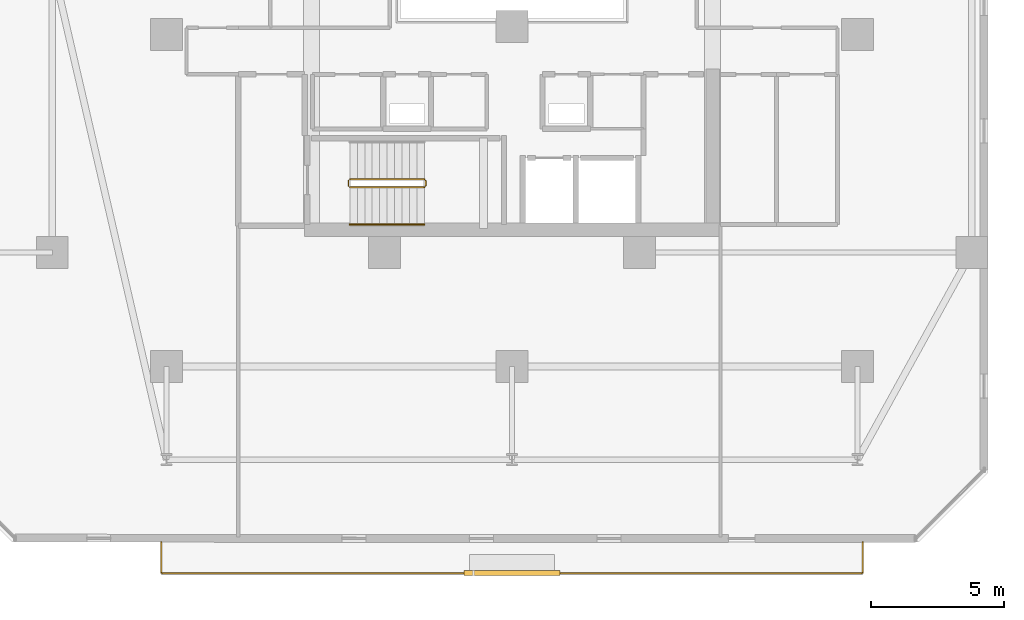
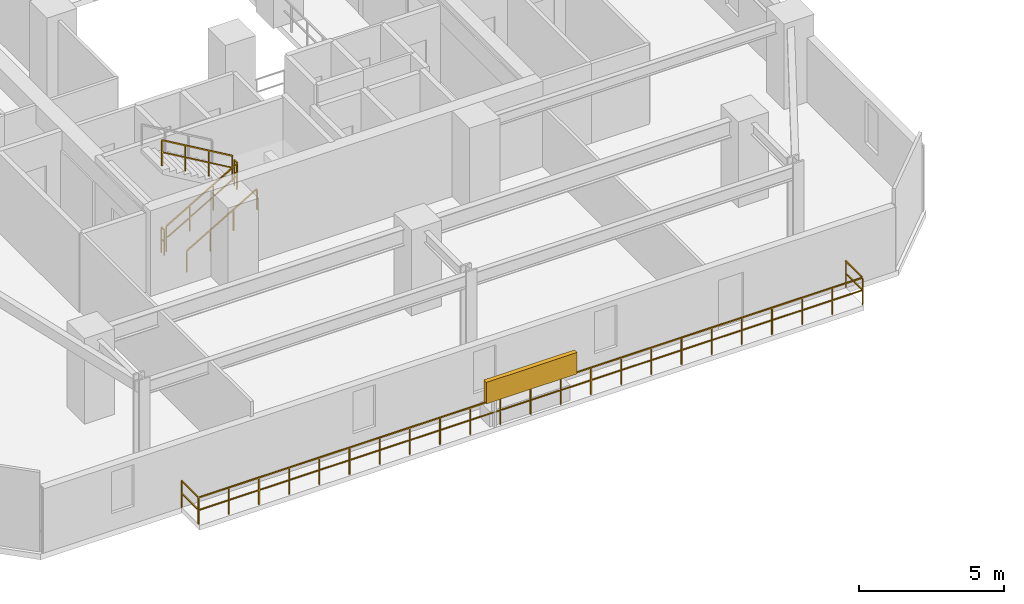
# One storey, part 29 of 33: 6 railings, 1 shading device.
"""IFC4 building model written with IfcOpenShell, lengths in metres."""

from ifc_helpers import new_model, si_unit, direction, frame, origin, origin_2d, place, context, subcontext, project, spatial, rectangle, extrude, material, type_object, element, save


model = new_model("IFC4")

# Units and contexts
model_context = context("Model", 3, precision=1e-05, world=origin(), true_north=direction((0.0, 1.0)))
body_context = subcontext(model_context, "Body", "Model", "MODEL_VIEW")
ifc_project = project(units=[si_unit("LENGTHUNIT", "METRE"), si_unit("AREAUNIT", "SQUARE_METRE"), si_unit("VOLUMEUNIT", "CUBIC_METRE"), si_unit("PLANEANGLEUNIT", "RADIAN"), si_unit("MASSUNIT", "GRAM", prefix="KILO")], contexts=[model_context])

# Site, building, storey
site_placement = place(None, origin())
site = spatial("IfcSite", under=ifc_project, at=site_placement, CompositionType="ELEMENT")
building_placement = place(site_placement, origin())
building = spatial("IfcBuilding", under=site, at=building_placement, Name="Thornwick Lancets Civic Towers", CompositionType="ELEMENT")
storey_placement = place(building_placement, frame((0.0, 0.0, 134.10009765625)))
storey = spatial("IfcBuildingStorey", under=building, at=storey_placement, Name="L35", CompositionType="ELEMENT", Elevation=134.10009765625)

# Railings
ifc_material_1 = material(Name="Brushed stainless steel S355", Category="steel")
railing_type_1 = type_object("IfcRailingType", Name="RAIL_HANDRAIL", PredefinedType="HANDRAIL", material=ifc_material_1)
railing_1_placement = place(storey_placement, frame((19.39990234375, 15.050048828125, 0.16357421875)))
element("IfcRailing", 1, at=railing_1_placement, inside=storey, type_object=railing_type_1, Name="L35 ST-A1 stair handrail 1", PredefinedType="HANDRAIL", context=body_context, shape_type="SweptSolid", body=[
    extrude(rectangle(XDim=0.048095703125, YDim=0.048095703125, at=origin_2d()), frame((0.0, 0.0, 0.8857421875), z_axis=(0.863393664356, 0.0, 0.504530851732), x_axis=(0.0, 1.0, 0.0)), (0.0, 0.0, 1.0), 3.2431640625),
    extrude(rectangle(XDim=0.0419921875, YDim=0.0419921875, at=origin_2d()), origin(), (0.0, 0.0, 1.0), 0.855712890625),
    extrude(rectangle(XDim=0.0419921875, YDim=0.0419921875, at=origin_2d()), frame((0.933349609375, 0.0, 0.54541015625)), (0.0, 0.0, 1.0), 0.855712890625),
    extrude(rectangle(XDim=0.0419921875, YDim=0.0419921875, at=origin_2d()), frame((1.86669921875, 0.0, 1.0908203125)), (0.0, 0.0, 1.0), 0.855712890625),
    extrude(rectangle(XDim=0.0419921875, YDim=0.0419921875, at=origin_2d()), frame((2.800048828125, 0.0, 1.63623046875)), (0.0, 0.0, 1.0), 0.855712890625),
])
ifc_material_2 = material(Name="Steel S355JR", Category="steel")
railing_type_2 = type_object("IfcRailingType", Name="RAIL_STAIR_GUARD", PredefinedType="GUARDRAIL", material=ifc_material_2)
railing_2_placement = place(storey_placement, frame((19.39990234375, 16.449951171875, 0.16357421875)))
element("IfcRailing", 2, at=railing_2_placement, inside=storey, type_object=railing_type_2, Name="L35 ST-A1 stair guard 1", PredefinedType="GUARDRAIL", context=body_context, shape_type="SweptSolid", body=[
    extrude(rectangle(XDim=0.048095703125, YDim=0.048095703125, at=origin_2d()), frame((0.0, 0.0, 1.076171875), z_axis=(0.863393664356, 0.0, 0.504530851732), x_axis=(0.0, 1.0, 0.0)), (0.0, 0.0, 1.0), 3.2431640625),
    extrude(rectangle(XDim=0.0419921875, YDim=0.0419921875, at=origin_2d()), frame((0.032470703125, 0.0, 0.591064453125), z_axis=(0.863393664356, 0.0, 0.504530851732), x_axis=(0.0, 1.0, 0.0)), (0.0, 0.0, 1.0), 1.006103515625),
    extrude(rectangle(XDim=0.0419921875, YDim=0.0419921875, at=origin_2d()), frame((0.9658203125, 0.0, 1.136474609375), z_axis=(0.863393664356, 0.0, 0.504530851732), x_axis=(0.0, 1.0, 0.0)), (0.0, 0.0, 1.0), 1.006103515625),
    extrude(rectangle(XDim=0.0419921875, YDim=0.0419921875, at=origin_2d()), frame((1.899169921875, 0.0, 1.681884765625), z_axis=(0.863393664356, 0.0, 0.504530851732), x_axis=(0.0, 1.0, 0.0)), (0.0, 0.0, 1.0), 1.006103515625),
    extrude(rectangle(XDim=0.0419921875, YDim=0.0419921875, at=origin_2d()), origin(), (0.0, 0.0, 1.0), 1.0458984375),
    extrude(rectangle(XDim=0.0419921875, YDim=0.0419921875, at=origin_2d()), frame((0.933349609375, 0.0, 0.54541015625)), (0.0, 0.0, 1.0), 1.0458984375),
    extrude(rectangle(XDim=0.0419921875, YDim=0.0419921875, at=origin_2d()), frame((1.86669921875, 0.0, 1.0908203125)), (0.0, 0.0, 1.0), 1.0458984375),
    extrude(rectangle(XDim=0.0419921875, YDim=0.0419921875, at=origin_2d()), frame((2.800048828125, 0.0, 1.63623046875)), (0.0, 0.0, 1.0), 1.0458984375),
])
railing_3_placement = place(storey_placement, frame((22.25, 16.5, 1.7998046875)))
element("IfcRailing", 3, at=railing_3_placement, inside=storey, type_object=railing_type_2, Name="L35 ST-A1 stair guard 2", PredefinedType="GUARDRAIL", context=body_context, shape_type="SweptSolid", body=[
    extrude(rectangle(XDim=0.048095703125, YDim=0.048095703125, at=origin_2d()), frame((0.0, 0.0, 1.076171875), z_axis=(0.0, 1.0, 0.0), x_axis=(-1.0, 0.0, 0.0)), (0.0, 0.0, 1.0), 0.199951171875),
    extrude(rectangle(XDim=0.0419921875, YDim=0.0419921875, at=origin_2d()), frame((0.0, 0.03759765625, 0.572021484375), z_axis=(0.0, 1.0, 0.0), x_axis=(-1.0, 0.0, 0.0)), (0.0, 0.0, 1.0), 0.125),
    extrude(rectangle(XDim=0.0419921875, YDim=0.0419921875, at=origin_2d()), origin(), (0.0, 0.0, 1.0), 1.0458984375),
    extrude(rectangle(XDim=0.0419921875, YDim=0.0419921875, at=origin_2d()), frame((0.0, 0.199951171875, 0.0)), (0.0, 0.0, 1.0), 1.0458984375),
])
railing_4_placement = place(storey_placement, frame((22.199951171875, 16.75, 1.963623046875)))
element("IfcRailing", 4, at=railing_4_placement, inside=storey, type_object=railing_type_2, Name="L35 ST-A1 stair guard 3", PredefinedType="GUARDRAIL", context=body_context, shape_type="SweptSolid", body=[
    extrude(rectangle(XDim=0.048095703125, YDim=0.048095703125, at=origin_2d()), frame((0.0, 0.0, 1.076171875), z_axis=(-0.863393664356, 0.0, 0.504530851732), x_axis=(0.0, -1.0, 0.0)), (0.0, 0.0, 1.0), 3.2431640625),
    extrude(rectangle(XDim=0.0419921875, YDim=0.0419921875, at=origin_2d()), frame((-0.032470703125, 0.0, 0.591064453125), z_axis=(-0.863393664356, 0.0, 0.504530851732), x_axis=(0.0, -1.0, 0.0)), (0.0, 0.0, 1.0), 1.006103515625),
    extrude(rectangle(XDim=0.0419921875, YDim=0.0419921875, at=origin_2d()), frame((-0.9658203125, 0.0, 1.136474609375), z_axis=(-0.863393664356, 0.0, 0.504530851732), x_axis=(0.0, -1.0, 0.0)), (0.0, 0.0, 1.0), 1.006103515625),
    extrude(rectangle(XDim=0.0419921875, YDim=0.0419921875, at=origin_2d()), frame((-1.899169921875, 0.0, 1.681884765625), z_axis=(-0.863393664356, 0.0, 0.504530851732), x_axis=(0.0, -1.0, 0.0)), (0.0, 0.0, 1.0), 1.006103515625),
    extrude(rectangle(XDim=0.0419921875, YDim=0.0419921875, at=origin_2d()), origin(), (0.0, 0.0, 1.0), 1.0458984375),
    extrude(rectangle(XDim=0.0419921875, YDim=0.0419921875, at=origin_2d()), frame((-0.933349609375, 0.0, 0.54541015625)), (0.0, 0.0, 1.0), 1.0458984375),
    extrude(rectangle(XDim=0.0419921875, YDim=0.0419921875, at=origin_2d()), frame((-1.86669921875, 0.0, 1.0908203125)), (0.0, 0.0, 1.0), 1.0458984375),
    extrude(rectangle(XDim=0.0419921875, YDim=0.0419921875, at=origin_2d()), frame((-2.800048828125, 0.0, 1.63623046875)), (0.0, 0.0, 1.0), 1.0458984375),
])
railing_5_placement = place(storey_placement, frame((19.35009765625, 16.5, 0.0)))
element("IfcRailing", 5, at=railing_5_placement, inside=storey, type_object=railing_type_2, Name="L35 ST-A1 stair guard 4", PredefinedType="GUARDRAIL", context=body_context, shape_type="SweptSolid", body=[
    extrude(rectangle(XDim=0.048095703125, YDim=0.048095703125, at=origin_2d()), frame((0.0, 0.0, 1.076171875), z_axis=(0.0, 1.0, 0.0), x_axis=(-1.0, 0.0, 0.0)), (0.0, 0.0, 1.0), 0.199951171875),
    extrude(rectangle(XDim=0.0419921875, YDim=0.0419921875, at=origin_2d()), frame((0.0, 0.03759765625, 0.572021484375), z_axis=(0.0, 1.0, 0.0), x_axis=(-1.0, 0.0, 0.0)), (0.0, 0.0, 1.0), 0.125),
    extrude(rectangle(XDim=0.0419921875, YDim=0.0419921875, at=origin_2d()), origin(), (0.0, 0.0, 1.0), 1.0458984375),
    extrude(rectangle(XDim=0.0419921875, YDim=0.0419921875, at=origin_2d()), frame((0.0, 0.199951171875, 0.0)), (0.0, 0.0, 1.0), 1.0458984375),
])
ifc_material_3 = material(Name="Terracotta-capped laminated glass balustrade S355", Category="masonry")
railing_type_3 = type_object("IfcRailingType", Name="RAIL_TERR_GUARD", PredefinedType="GUARDRAIL", material=ifc_material_3)
railing_6_placement = place(storey_placement, frame((12.300048828125, 3.10009765625, 0.0)))
element("IfcRailing", 6, at=railing_6_placement, inside=storey, type_object=railing_type_3, Name="L35 Tower A Balcony Guard S", PredefinedType="GUARDRAIL", context=body_context, shape_type="SweptSolid", body=[
    extrude(rectangle(XDim=0.048095703125, YDim=0.048095703125, at=origin_2d()), frame((0.0, 0.0, 1.1259765625), z_axis=(0.0, -1.0, 0.0), x_axis=(1.0, 0.0, 0.0)), (0.0, 0.0, 1.0), 1.138916015625),
    extrude(rectangle(XDim=0.0419921875, YDim=0.0419921875, at=origin_2d()), frame((0.0, -0.03759765625, 0.597900390625), z_axis=(0.0, -1.0, 0.0), x_axis=(1.0, 0.0, 0.0)), (0.0, 0.0, 1.0), 1.09521484375),
    extrude(rectangle(XDim=0.048095703125, YDim=0.048095703125, at=origin_2d()), frame((0.03125, -1.170166015625, 1.1259765625), z_axis=(1.0, 0.0, 0.0), x_axis=(0.0, 1.0, 0.0)), (0.0, 0.0, 1.0), 26.33740234375),
    extrude(rectangle(XDim=0.0419921875, YDim=0.0419921875, at=origin_2d()), frame((0.03759765625, -1.170166015625, 0.597900390625), z_axis=(1.0, 0.0, 0.0), x_axis=(0.0, 1.0, 0.0)), (0.0, 0.0, 1.0), 1.125),
    extrude(rectangle(XDim=0.0419921875, YDim=0.0419921875, at=origin_2d()), frame((1.237548828125, -1.170166015625, 0.597900390625), z_axis=(1.0, 0.0, 0.0), x_axis=(0.0, 1.0, 0.0)), (0.0, 0.0, 1.0), 1.125),
    extrude(rectangle(XDim=0.0419921875, YDim=0.0419921875, at=origin_2d()), frame((2.4375, -1.170166015625, 0.597900390625), z_axis=(1.0, 0.0, 0.0), x_axis=(0.0, 1.0, 0.0)), (0.0, 0.0, 1.0), 1.125),
    extrude(rectangle(XDim=0.0419921875, YDim=0.0419921875, at=origin_2d()), frame((3.637451171875, -1.170166015625, 0.597900390625), z_axis=(1.0, 0.0, 0.0), x_axis=(0.0, 1.0, 0.0)), (0.0, 0.0, 1.0), 1.125),
    extrude(rectangle(XDim=0.0419921875, YDim=0.0419921875, at=origin_2d()), frame((4.83740234375, -1.170166015625, 0.597900390625), z_axis=(1.0, 0.0, 0.0), x_axis=(0.0, 1.0, 0.0)), (0.0, 0.0, 1.0), 1.125),
    extrude(rectangle(XDim=0.0419921875, YDim=0.0419921875, at=origin_2d()), frame((6.037353515625, -1.170166015625, 0.597900390625), z_axis=(1.0, 0.0, 0.0), x_axis=(0.0, 1.0, 0.0)), (0.0, 0.0, 1.0), 1.125),
    extrude(rectangle(XDim=0.0419921875, YDim=0.0419921875, at=origin_2d()), frame((7.237548828125, -1.170166015625, 0.597900390625), z_axis=(1.0, 0.0, 0.0), x_axis=(0.0, 1.0, 0.0)), (0.0, 0.0, 1.0), 1.125),
    extrude(rectangle(XDim=0.0419921875, YDim=0.0419921875, at=origin_2d()), frame((8.4375, -1.170166015625, 0.597900390625), z_axis=(1.0, 0.0, 0.0), x_axis=(0.0, 1.0, 0.0)), (0.0, 0.0, 1.0), 1.125),
    extrude(rectangle(XDim=0.0419921875, YDim=0.0419921875, at=origin_2d()), frame((9.637451171875, -1.170166015625, 0.597900390625), z_axis=(1.0, 0.0, 0.0), x_axis=(0.0, 1.0, 0.0)), (0.0, 0.0, 1.0), 1.125),
    extrude(rectangle(XDim=0.0419921875, YDim=0.0419921875, at=origin_2d()), frame((10.83740234375, -1.170166015625, 0.597900390625), z_axis=(1.0, 0.0, 0.0), x_axis=(0.0, 1.0, 0.0)), (0.0, 0.0, 1.0), 1.125),
    extrude(rectangle(XDim=0.0419921875, YDim=0.0419921875, at=origin_2d()), frame((12.037353515625, -1.170166015625, 0.597900390625), z_axis=(1.0, 0.0, 0.0), x_axis=(0.0, 1.0, 0.0)), (0.0, 0.0, 1.0), 1.125),
    extrude(rectangle(XDim=0.0419921875, YDim=0.0419921875, at=origin_2d()), frame((13.237548828125, -1.170166015625, 0.597900390625), z_axis=(1.0, 0.0, 0.0), x_axis=(0.0, 1.0, 0.0)), (0.0, 0.0, 1.0), 1.125),
    extrude(rectangle(XDim=0.0419921875, YDim=0.0419921875, at=origin_2d()), frame((14.4375, -1.170166015625, 0.597900390625), z_axis=(1.0, 0.0, 0.0), x_axis=(0.0, 1.0, 0.0)), (0.0, 0.0, 1.0), 1.125),
    extrude(rectangle(XDim=0.0419921875, YDim=0.0419921875, at=origin_2d()), frame((15.637451171875, -1.170166015625, 0.597900390625), z_axis=(1.0, 0.0, 0.0), x_axis=(0.0, 1.0, 0.0)), (0.0, 0.0, 1.0), 1.125),
    extrude(rectangle(XDim=0.0419921875, YDim=0.0419921875, at=origin_2d()), frame((16.83740234375, -1.170166015625, 0.597900390625), z_axis=(1.0, 0.0, 0.0), x_axis=(0.0, 1.0, 0.0)), (0.0, 0.0, 1.0), 1.125),
    extrude(rectangle(XDim=0.0419921875, YDim=0.0419921875, at=origin_2d()), frame((18.037353515625, -1.170166015625, 0.597900390625), z_axis=(1.0, 0.0, 0.0), x_axis=(0.0, 1.0, 0.0)), (0.0, 0.0, 1.0), 1.125),
    extrude(rectangle(XDim=0.0419921875, YDim=0.0419921875, at=origin_2d()), frame((19.2373046875, -1.170166015625, 0.597900390625), z_axis=(1.0, 0.0, 0.0), x_axis=(0.0, 1.0, 0.0)), (0.0, 0.0, 1.0), 1.125),
    extrude(rectangle(XDim=0.0419921875, YDim=0.0419921875, at=origin_2d()), frame((20.4375, -1.170166015625, 0.597900390625), z_axis=(1.0, 0.0, 0.0), x_axis=(0.0, 1.0, 0.0)), (0.0, 0.0, 1.0), 1.125),
    extrude(rectangle(XDim=0.0419921875, YDim=0.0419921875, at=origin_2d()), frame((21.637451171875, -1.170166015625, 0.597900390625), z_axis=(1.0, 0.0, 0.0), x_axis=(0.0, 1.0, 0.0)), (0.0, 0.0, 1.0), 1.125),
    extrude(rectangle(XDim=0.0419921875, YDim=0.0419921875, at=origin_2d()), frame((22.83740234375, -1.170166015625, 0.597900390625), z_axis=(1.0, 0.0, 0.0), x_axis=(0.0, 1.0, 0.0)), (0.0, 0.0, 1.0), 1.125),
    extrude(rectangle(XDim=0.0419921875, YDim=0.0419921875, at=origin_2d()), frame((24.037353515625, -1.170166015625, 0.597900390625), z_axis=(1.0, 0.0, 0.0), x_axis=(0.0, 1.0, 0.0)), (0.0, 0.0, 1.0), 1.125),
    extrude(rectangle(XDim=0.0419921875, YDim=0.0419921875, at=origin_2d()), frame((25.2373046875, -1.170166015625, 0.597900390625), z_axis=(1.0, 0.0, 0.0), x_axis=(0.0, 1.0, 0.0)), (0.0, 0.0, 1.0), 1.125),
    extrude(rectangle(XDim=0.048095703125, YDim=0.048095703125, at=origin_2d()), frame((26.39990234375, -1.138916015625, 1.1259765625), z_axis=(0.0, 1.0, 0.0), x_axis=(-1.0, 0.0, 0.0)), (0.0, 0.0, 1.0), 1.138916015625),
    extrude(rectangle(XDim=0.0419921875, YDim=0.0419921875, at=origin_2d()), frame((26.39990234375, -1.132568359375, 0.597900390625), z_axis=(0.0, 1.0, 0.0), x_axis=(-1.0, 0.0, 0.0)), (0.0, 0.0, 1.0), 1.09521484375),
    extrude(rectangle(XDim=0.0419921875, YDim=0.0419921875, at=origin_2d()), origin(), (0.0, 0.0, 1.0), 1.095703125),
    extrude(rectangle(XDim=0.0419921875, YDim=0.0419921875, at=origin_2d()), frame((0.0, -1.170166015625, 0.0)), (0.0, 0.0, 1.0), 1.095703125),
    extrude(rectangle(XDim=0.0419921875, YDim=0.0419921875, at=origin_2d()), frame((1.199951171875, -1.170166015625, 0.0)), (0.0, 0.0, 1.0), 1.095703125),
    extrude(rectangle(XDim=0.0419921875, YDim=0.0419921875, at=origin_2d()), frame((2.39990234375, -1.170166015625, 0.0)), (0.0, 0.0, 1.0), 1.095703125),
    extrude(rectangle(XDim=0.0419921875, YDim=0.0419921875, at=origin_2d()), frame((3.60009765625, -1.170166015625, 0.0)), (0.0, 0.0, 1.0), 1.095703125),
    extrude(rectangle(XDim=0.0419921875, YDim=0.0419921875, at=origin_2d()), frame((4.800048828125, -1.170166015625, 0.0)), (0.0, 0.0, 1.0), 1.095703125),
    extrude(rectangle(XDim=0.0419921875, YDim=0.0419921875, at=origin_2d()), frame((6.0, -1.170166015625, 0.0)), (0.0, 0.0, 1.0), 1.095703125),
    extrude(rectangle(XDim=0.0419921875, YDim=0.0419921875, at=origin_2d()), frame((7.199951171875, -1.170166015625, 0.0)), (0.0, 0.0, 1.0), 1.095703125),
    extrude(rectangle(XDim=0.0419921875, YDim=0.0419921875, at=origin_2d()), frame((8.39990234375, -1.170166015625, 0.0)), (0.0, 0.0, 1.0), 1.095703125),
    extrude(rectangle(XDim=0.0419921875, YDim=0.0419921875, at=origin_2d()), frame((9.599853515625, -1.170166015625, 0.0)), (0.0, 0.0, 1.0), 1.095703125),
    extrude(rectangle(XDim=0.0419921875, YDim=0.0419921875, at=origin_2d()), frame((10.800048828125, -1.170166015625, 0.0)), (0.0, 0.0, 1.0), 1.095703125),
    extrude(rectangle(XDim=0.0419921875, YDim=0.0419921875, at=origin_2d()), frame((12.0, -1.170166015625, 0.0)), (0.0, 0.0, 1.0), 1.095703125),
    extrude(rectangle(XDim=0.0419921875, YDim=0.0419921875, at=origin_2d()), frame((13.199951171875, -1.170166015625, 0.0)), (0.0, 0.0, 1.0), 1.095703125),
    extrude(rectangle(XDim=0.0419921875, YDim=0.0419921875, at=origin_2d()), frame((14.39990234375, -1.170166015625, 0.0)), (0.0, 0.0, 1.0), 1.095703125),
    extrude(rectangle(XDim=0.0419921875, YDim=0.0419921875, at=origin_2d()), frame((15.599853515625, -1.170166015625, 0.0)), (0.0, 0.0, 1.0), 1.095703125),
    extrude(rectangle(XDim=0.0419921875, YDim=0.0419921875, at=origin_2d()), frame((16.800048828125, -1.170166015625, 0.0)), (0.0, 0.0, 1.0), 1.095703125),
    extrude(rectangle(XDim=0.0419921875, YDim=0.0419921875, at=origin_2d()), frame((18.0, -1.170166015625, 0.0)), (0.0, 0.0, 1.0), 1.095703125),
    extrude(rectangle(XDim=0.0419921875, YDim=0.0419921875, at=origin_2d()), frame((19.199951171875, -1.170166015625, 0.0)), (0.0, 0.0, 1.0), 1.095703125),
    extrude(rectangle(XDim=0.0419921875, YDim=0.0419921875, at=origin_2d()), frame((20.39990234375, -1.170166015625, 0.0)), (0.0, 0.0, 1.0), 1.095703125),
    extrude(rectangle(XDim=0.0419921875, YDim=0.0419921875, at=origin_2d()), frame((21.599853515625, -1.170166015625, 0.0)), (0.0, 0.0, 1.0), 1.095703125),
    extrude(rectangle(XDim=0.0419921875, YDim=0.0419921875, at=origin_2d()), frame((22.7998046875, -1.170166015625, 0.0)), (0.0, 0.0, 1.0), 1.095703125),
    extrude(rectangle(XDim=0.0419921875, YDim=0.0419921875, at=origin_2d()), frame((24.0, -1.170166015625, 0.0)), (0.0, 0.0, 1.0), 1.095703125),
    extrude(rectangle(XDim=0.0419921875, YDim=0.0419921875, at=origin_2d()), frame((25.199951171875, -1.170166015625, 0.0)), (0.0, 0.0, 1.0), 1.095703125),
    extrude(rectangle(XDim=0.0419921875, YDim=0.0419921875, at=origin_2d()), frame((26.39990234375, -1.170166015625, 0.0)), (0.0, 0.0, 1.0), 1.095703125),
    extrude(rectangle(XDim=0.0419921875, YDim=0.0419921875, at=origin_2d()), frame((26.39990234375, 0.0, 0.0)), (0.0, 0.0, 1.0), 1.095703125),
])

# Shading device
ifc_material_4 = material(Name="Extruded terracotta baguette solar screen", Category="masonry")
shading_device_type = type_object("IfcShadingDeviceType", Name="SHADE_BAGUETTE", PredefinedType="JALOUSIE", material=ifc_material_4)
shading_device_placement = place(storey_placement, frame((25.5, 1.93994140625, 1.119873046875), z_axis=(0.0, 0.0, 1.0), x_axis=(1.0, 0.0, 0.0)))
element("IfcShadingDevice", 7, at=shading_device_placement, inside=storey, type_object=shading_device_type, Name="L35 Tower A Terracotta Baguette Screen S", PredefinedType="JALOUSIE", context=body_context, shape_type="SweptSolid", body=[
    extrude(rectangle(XDim=3.60009765625, YDim=0.179931640625, at=origin_2d()), origin(), (0.0, 0.0, 1.0), 0.89990234375),
])

save(model, "model.ifc")
